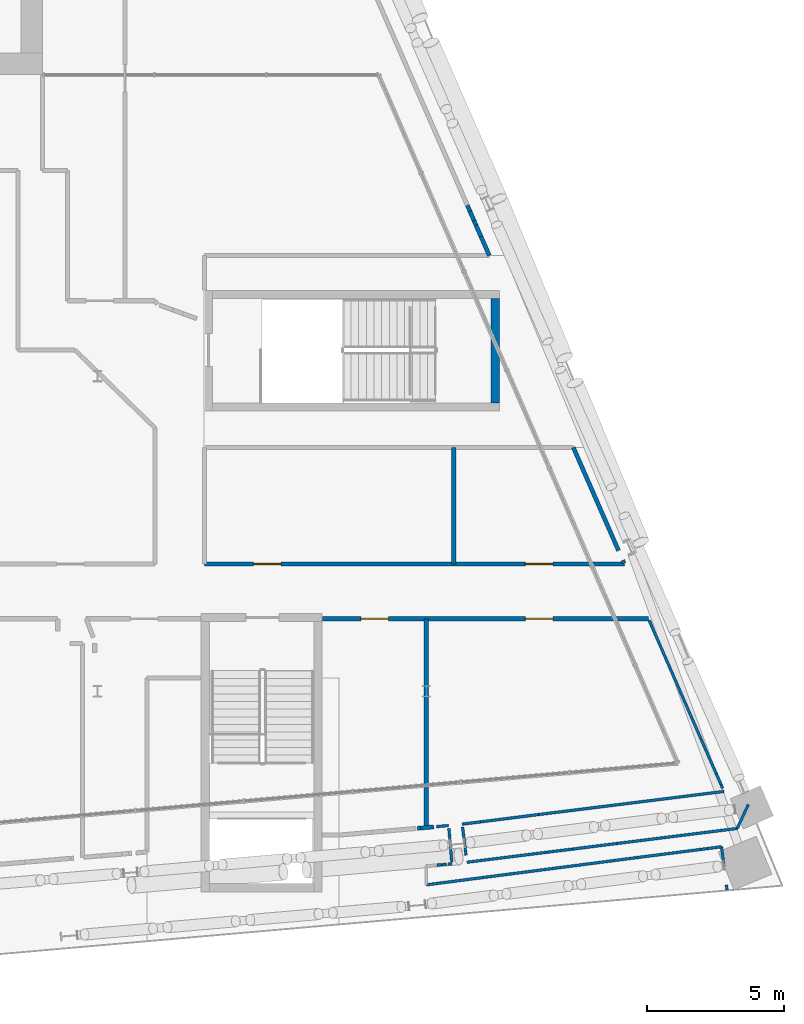
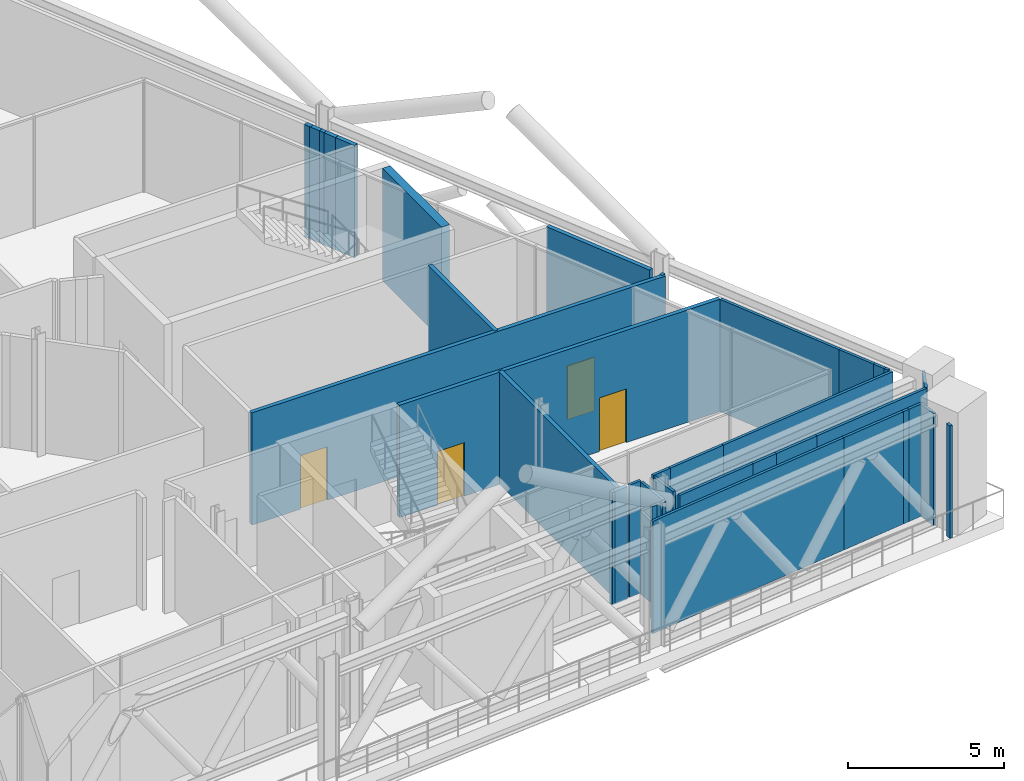
# One storey, part 18 of 35: 38 walls, 4 doors, 4 openings.
"""IFC4 building model written with IfcOpenShell, lengths in metres."""

from ifc_helpers import new_model, si_unit, direction, frame, frame_2d, origin, place, context, subcontext, project, spatial, rectangle, extrude, material, layer, layer_set, type_object, element, fill, save


model = new_model("IFC4")

# Units and contexts
model_context = context("Model", 3, precision=1e-05, world=origin(), true_north=direction((0.0, 1.0)))
body_context = subcontext(model_context, "Body", "Model", "MODEL_VIEW")
ifc_project = project(units=[si_unit("LENGTHUNIT", "METRE"), si_unit("AREAUNIT", "SQUARE_METRE"), si_unit("VOLUMEUNIT", "CUBIC_METRE"), si_unit("PLANEANGLEUNIT", "RADIAN"), si_unit("MASSUNIT", "GRAM", prefix="KILO")], contexts=[model_context])

# Site, building, storey
site_placement = place(None, origin())
site = spatial("IfcSite", under=ifc_project, at=site_placement, CompositionType="ELEMENT")
building_placement = place(site_placement, origin())
building = spatial("IfcBuilding", under=site, at=building_placement, Name="Wharfspan Tower", CompositionType="ELEMENT")
storey_placement = place(building_placement, frame((0.0, 0.0, 202.300049)))
storey = spatial("IfcBuildingStorey", under=building, at=storey_placement, Name="L50", CompositionType="ELEMENT", Elevation=202.300049)

# Walls
ifc_material_1 = material(Name="Gypsum board on steel studs", Category="steel")
ifc_layer_1 = layer(ifc_material_1, 0.100098)
ifc_layer_set_1 = layer_set([ifc_layer_1], Name="Gypsum board on steel studs")
wall_type_1 = type_object("IfcWallType", Name="Compartment wall 100 EI 60", PredefinedType="PARTITIONING", material=ifc_layer_set_1)
wall_1_placement = place(storey_placement, frame((82.030029, 9.745117, 0.0), z_axis=(0.0, 0.0, 1.0), x_axis=(-0.400291, 0.916392, 0.0)))
element("IfcWall", 1, at=wall_1_placement, inside=storey, type_object=wall_type_1, Name="Partition L50.w132", PredefinedType="PARTITIONING", context=body_context, shape_type="SweptSolid", body=[
    extrude(rectangle(XDim=4.743164, YDim=0.100098, at=frame_2d((2.371582, 0.0))), origin(), (0.0, 0.0, 1.0), 4.399902),
])
ifc_layer_2 = layer(ifc_material_1, 0.100098)
ifc_layer_set_2 = layer_set([ifc_layer_2], Name="Gypsum board on steel studs")
wall_type_2 = type_object("IfcWallType", Name="Partition 100", PredefinedType="PARTITIONING", material=ifc_layer_set_2)
wall_2_placement = place(storey_placement, frame((72.0, 4.435059, 0.0), z_axis=(0.0, 0.0, 1.0), x_axis=(0.991735, 0.128315, 0.0)))
element("IfcWall", 2, at=wall_2_placement, inside=storey, type_object=wall_type_2, Name="Partition L50.w104", PredefinedType="PARTITIONING", context=body_context, shape_type="SweptSolid", body=[
    extrude(rectangle(XDim=7.713379, YDim=0.100098, at=frame_2d((3.856689, 0.0))), origin(), (0.0, 0.0, 1.0), 4.399902),
])
wall_3_placement = place(storey_placement, frame((72.375, 6.560059, 0.0), z_axis=(0.0, 0.0, 1.0), x_axis=(0.99588, 0.090635, 0.0)))
element("IfcWall", 3, at=wall_3_placement, inside=storey, type_object=wall_type_2, Name="Partition L50.w108", PredefinedType="PARTITIONING", context=body_context, shape_type="SweptSolid", body=[
    extrude(rectangle(XDim=0.44165, YDim=0.100098, at=frame_2d((0.220703, 0.0))), origin(), (0.0, 0.0, 1.0), 4.399902),
])
wall_4_placement = place(storey_placement, frame((72.39502, 5.155029, 0.0), z_axis=(0.0, 0.0, 1.0), x_axis=(0.996593, 0.082486, 0.0)))
element("IfcWall", 4, at=wall_4_placement, inside=storey, type_object=wall_type_2, Name="Partition L50.w109", PredefinedType="PARTITIONING", context=body_context, shape_type="SweptSolid", body=[
    extrude(rectangle(XDim=0.180664, YDim=0.100098, at=frame_2d((0.090332, 0.0))), origin(), (0.0, 0.0, 1.0), 4.399902),
])
wall_5_placement = place(storey_placement, frame((72.574951, 5.169922, 0.0), z_axis=(0.0, 0.0, 1.0), x_axis=(0.996069, 0.088603, 0.0)))
element("IfcWall", 5, at=wall_5_placement, inside=storey, type_object=wall_type_2, Name="Partition L50.w110", PredefinedType="PARTITIONING", context=body_context, shape_type="SweptSolid", body=[
    extrude(rectangle(XDim=0.170898, YDim=0.100098, at=frame_2d((0.085449, 0.0))), origin(), (0.0, 0.0, 1.0), 4.399902),
])
wall_6_placement = place(storey_placement, frame((72.795654, 5.190918, 0.0), z_axis=(0.0, 0.0, 1.0), x_axis=(0.996205, 0.087081, 0.0)))
element("IfcWall", 6, at=wall_6_placement, inside=storey, type_object=wall_type_2, Name="Partition L50.w111", PredefinedType="PARTITIONING", context=body_context, shape_type="SweptSolid", body=[
    extrude(rectangle(XDim=0.140137, YDim=0.100098, at=frame_2d((0.070068, 0.0))), origin(), (0.0, 0.0, 1.0), 4.399902),
])
wall_7_placement = place(storey_placement, frame((72.929932, 5.27002, 0.0), z_axis=(0.0, 0.0, 1.0), x_axis=(-0.085711, 0.996316, 0.0)))
element("IfcWall", 7, at=wall_7_placement, inside=storey, type_object=wall_type_2, Name="Partition L50.w112", PredefinedType="PARTITIONING", context=body_context, shape_type="SweptSolid", body=[
    extrude(rectangle(XDim=1.227783, YDim=0.100098, at=frame_2d((0.61377, 0.0))), origin(), (0.0, 0.0, 1.0), 4.399902),
])
wall_8_placement = place(storey_placement, frame((73.308838, 6.650391, 0.0), z_axis=(0.0, 0.0, 1.0), x_axis=(0.99228, 0.124035, 0.0)))
element("IfcWall", 8, at=wall_8_placement, inside=storey, type_object=wall_type_2, Name="Partition L50.w114", PredefinedType="PARTITIONING", context=body_context, shape_type="SweptSolid", body=[
    extrude(rectangle(XDim=0.678955, YDim=0.100098, at=frame_2d((0.339355, 0.0))), origin(), (0.0, 0.0, 1.0), 4.399902),
])
wall_9_placement = place(storey_placement, frame((73.449951, 5.514893, 0.0), z_axis=(0.0, 0.0, 1.0), x_axis=(-0.122241, 0.992503, 0.0)))
element("IfcWall", 9, at=wall_9_placement, inside=storey, type_object=wall_type_2, Name="Partition L50.w115", PredefinedType="PARTITIONING", context=body_context, shape_type="SweptSolid", body=[
    extrude(rectangle(XDim=1.038574, YDim=0.100098, at=frame_2d((0.519287, 0.0))), origin(), (0.0, 0.0, 1.0), 4.399902),
])
wall_10_placement = place(storey_placement, frame((73.47998, 5.26001, 0.0), z_axis=(0.0, 0.0, 1.0), x_axis=(0.992307, 0.123821, 0.0)))
element("IfcWall", 10, at=wall_10_placement, inside=storey, type_object=wall_type_2, Name="Partition L50.w116", PredefinedType="PARTITIONING", context=body_context, shape_type="SweptSolid", body=[
    extrude(rectangle(XDim=2.947754, YDim=0.100098, at=frame_2d((1.473877, 0.0))), origin(), (0.0, 0.0, 1.0), 4.399902),
])
wall_11_placement = place(storey_placement, frame((73.982666, 6.734619, 0.0), z_axis=(0.0, 0.0, 1.0), x_axis=(0.992202, 0.124656, 0.0)))
element("IfcWall", 11, at=wall_11_placement, inside=storey, type_object=wall_type_2, Name="Partition L50.w121", PredefinedType="PARTITIONING", context=body_context, shape_type="SweptSolid", body=[
    extrude(rectangle(XDim=2.128906, YDim=0.100098, at=frame_2d((1.064453, 0.0))), origin(), (0.0, 0.0, 1.0), 4.399902),
])
wall_12_placement = place(storey_placement, frame((76.094971, 7.0, 0.0), z_axis=(0.0, 0.0, 1.0), x_axis=(0.992304, 0.123792, 0.0)))
element("IfcWall", 12, at=wall_12_placement, inside=storey, type_object=wall_type_2, Name="Partition L50.w124", PredefinedType="PARTITIONING", context=body_context, shape_type="SweptSolid", body=[
    extrude(rectangle(XDim=6.821777, YDim=0.100098, at=frame_2d((3.410889, 0.0))), origin(), (0.0, 0.0, 1.0), 4.399902),
])
wall_13_placement = place(storey_placement, frame((76.405029, 5.625, 0.0), z_axis=(0.0, 0.0, 1.0), x_axis=(0.992443, 0.12272, 0.0)))
element("IfcWall", 13, at=wall_13_placement, inside=storey, type_object=wall_type_2, Name="Partition L50.w125", PredefinedType="PARTITIONING", context=body_context, shape_type="SweptSolid", body=[
    extrude(rectangle(XDim=0.937012, YDim=0.100098, at=frame_2d((0.468506, 0.0))), origin(), (0.0, 0.0, 1.0), 4.399902),
])
wall_14_placement = place(storey_placement, frame((77.334961, 5.73999, 0.0), z_axis=(0.0, 0.0, 1.0), x_axis=(0.992138, 0.125156, 0.0)))
element("IfcWall", 14, at=wall_14_placement, inside=storey, type_object=wall_type_2, Name="Partition L50.w126", PredefinedType="PARTITIONING", context=body_context, shape_type="SweptSolid", body=[
    extrude(rectangle(XDim=1.634766, YDim=0.100098, at=frame_2d((0.817383, 0.0))), origin(), (0.0, 0.0, 1.0), 4.399902),
])
wall_15_placement = place(storey_placement, frame((78.956787, 5.94458, 0.0), z_axis=(0.0, 0.0, 1.0), x_axis=(0.992303, 0.123831, 0.0)))
element("IfcWall", 15, at=wall_15_placement, inside=storey, type_object=wall_type_2, Name="Partition L50.w127", PredefinedType="PARTITIONING", context=body_context, shape_type="SweptSolid", body=[
    extrude(rectangle(XDim=4.42627, YDim=0.100098, at=frame_2d((2.213135, 0.0))), origin(), (0.0, 0.0, 1.0), 4.399902),
])
wall_16_placement = place(storey_placement, frame((79.649902, 5.425049, 0.0), z_axis=(0.0, 0.0, 1.0), x_axis=(0.991892, 0.127077, 0.0)))
element("IfcWall", 16, at=wall_16_placement, inside=storey, type_object=wall_type_2, Name="Partition L50.w130", PredefinedType="PARTITIONING", context=body_context, shape_type="SweptSolid", body=[
    extrude(rectangle(XDim=2.399658, YDim=0.100098, at=frame_2d((1.199707, 0.0))), origin(), (0.0, 0.0, 1.0), 4.399902),
])
wall_17_placement = place(storey_placement, frame((82.030029, 5.72998, 0.0), z_axis=(0.0, 0.0, 1.0), x_axis=(0.991935, 0.126723, 0.0)))
element("IfcWall", 17, at=wall_17_placement, inside=storey, type_object=wall_type_2, Name="Partition L50.w131", PredefinedType="PARTITIONING", context=body_context, shape_type="SweptSolid", body=[
    extrude(rectangle(XDim=0.223389, YDim=0.100098, at=frame_2d((0.111816, 0.0))), origin(), (0.0, 0.0, 1.0), 4.399902),
])
wall_18_placement = place(storey_placement, frame((82.251709, 5.758301, 0.0), z_axis=(0.0, 0.0, 1.0), x_axis=(0.991798, 0.127809, 0.0)))
element("IfcWall", 18, at=wall_18_placement, inside=storey, type_object=wall_type_2, Name="Partition L50.w133", PredefinedType="PARTITIONING", context=body_context, shape_type="SweptSolid", body=[
    extrude(rectangle(XDim=0.525391, YDim=0.100098, at=frame_2d((0.262695, 0.0))), origin(), (0.0, 0.0, 1.0), 4.399902),
])
wall_19_placement = place(storey_placement, frame((82.583008, 8.487793, 0.0), z_axis=(0.0, 0.0, 1.0), x_axis=(-0.402589, 0.915379, 0.0)))
element("IfcWall", 19, at=wall_19_placement, inside=storey, type_object=wall_type_2, Name="Partition L50.w134", PredefinedType="PARTITIONING", context=body_context, shape_type="SweptSolid", body=[
    extrude(rectangle(XDim=1.373535, YDim=0.100098, at=frame_2d((0.686768, 0.0))), origin(), (0.0, 0.0, 1.0), 4.399902),
])
wall_20_placement = place(storey_placement, frame((82.753906, 8.097412, 0.0), z_axis=(0.0, 0.0, 1.0), x_axis=(-0.40103, 0.916067, 0.0)))
element("IfcWall", 20, at=wall_20_placement, inside=storey, type_object=wall_type_2, Name="Partition L50.w135", PredefinedType="PARTITIONING", context=body_context, shape_type="SweptSolid", body=[
    extrude(rectangle(XDim=0.42627, YDim=0.100098, at=frame_2d((0.213135, 0.0))), origin(), (0.0, 0.0, 1.0), 4.399902),
])
wall_21_placement = place(storey_placement, frame((82.814941, 7.955078, 0.0), z_axis=(0.0, 0.0, 1.0), x_axis=(-0.394108, 0.91906, 0.0)))
element("IfcWall", 21, at=wall_21_placement, inside=storey, type_object=wall_type_2, Name="Partition L50.w136", PredefinedType="PARTITIONING", context=body_context, shape_type="SweptSolid", body=[
    extrude(rectangle(XDim=0.154785, YDim=0.100098, at=frame_2d((0.077393, 0.0))), origin(), (0.0, 0.0, 1.0), 4.399902),
])
wall_22_placement = place(storey_placement, frame((82.86499, 5.11499, 0.0), z_axis=(0.0, 0.0, 1.0), x_axis=(-0.125882, 0.992046, 0.0)))
element("IfcWall", 22, at=wall_22_placement, inside=storey, type_object=wall_type_2, Name="Partition L50.w137", PredefinedType="PARTITIONING", context=body_context, shape_type="SweptSolid", body=[
    extrude(rectangle(XDim=0.715576, YDim=0.100098, at=frame_2d((0.35791, 0.0))), origin(), (0.0, 0.0, 1.0), 4.399902),
])
wall_23_placement = place(storey_placement, frame((82.977295, 4.243164, 0.0), z_axis=(0.0, 0.0, 1.0), x_axis=(-0.141069, 0.990002, 0.0)))
element("IfcWall", 23, at=wall_23_placement, inside=storey, type_object=wall_type_2, Name="Partition L50.w138", PredefinedType="PARTITIONING", context=body_context, shape_type="SweptSolid", body=[
    extrude(rectangle(XDim=0.193848, YDim=0.100098, at=frame_2d((0.096924, 0.0))), origin(), (0.0, 0.0, 1.0), 4.399902),
])
wall_24_placement = place(storey_placement, frame((83.350098, 6.5, 0.0), z_axis=(0.0, 0.0, 1.0), x_axis=(0.420495, 0.90729, 0.0)))
element("IfcWall", 24, at=wall_24_placement, inside=storey, type_object=wall_type_2, Name="Partition L50.w139", PredefinedType="PARTITIONING", context=body_context, shape_type="SweptSolid", body=[
    extrude(rectangle(XDim=0.95752, YDim=0.100098, at=frame_2d((0.47876, 0.0))), origin(), (0.0, 0.0, 1.0), 4.399902),
])

# Wall, openings, doors
ifc_layer_3 = layer(ifc_material_1, 0.149902)
ifc_layer_set_3 = layer_set([ifc_layer_3], Name="Gypsum board on steel studs")
wall_type_3 = type_object("IfcWallType", Name="Plant room wall 150 EI 120", PredefinedType="PARTITIONING", material=ifc_layer_set_3)
wall_25_placement = place(storey_placement, frame((63.905029, 16.14502, 0.0), z_axis=(0.0, 0.0, 1.0), x_axis=(1.0, 0.0, 0.0)))
wall_25 = element("IfcWall", 25, at=wall_25_placement, inside=storey, type_object=wall_type_3, Name="Partition L50.w092", PredefinedType="PARTITIONING", context=body_context, shape_type="SweptSolid", body=[
    extrude(rectangle(XDim=15.324707, YDim=0.149902, at=frame_2d((7.662354, 0.0))), origin(), (0.0, 0.0, 1.0), 4.399902),
])
opening_1_placement = place(wall_25_placement, frame((1.794922, 0.0, 0.0)))
opening_1 = element("IfcOpeningElement", 26, at=opening_1_placement, cuts=wall_25, Name="Opening BC-13", PredefinedType="OPENING", context=body_context, shape_type="SweptSolid", body=[
    extrude(rectangle(XDim=1.0, YDim=2.100098, at=frame_2d((0.5, 1.050049))), frame((0.0, 0.084961, 0.0), z_axis=(0.0, -1.0, 0.0), x_axis=(1.0, 0.0, 0.0)), (0.0, 0.0, 1.0), 0.169922),
])
opening_2_placement = place(wall_25_placement, frame((11.712646, 0.0, 0.0)))
opening_2 = element("IfcOpeningElement", 27, at=opening_2_placement, cuts=wall_25, Name="Opening BC-14", PredefinedType="OPENING", context=body_context, shape_type="SweptSolid", body=[
    extrude(rectangle(XDim=1.0, YDim=2.100098, at=frame_2d((0.5, 1.050049))), frame((0.0, 0.084961, 0.0), z_axis=(0.0, -1.0, 0.0), x_axis=(1.0, 0.0, 0.0)), (0.0, 0.0, 1.0), 0.169922),
])
ifc_material_2 = material(Name="Fire-rated timber door leaf in steel frame", Category="steel")
door_type_1 = type_object("IfcDoorType", Name="Door 1000 FD60 Left", OperationType="SINGLE_SWING_LEFT", PredefinedType="DOOR", material=ifc_material_2)
door_1_placement = place(opening_1_placement, origin())
door_1 = element("IfcDoor", 28, at=door_1_placement, inside=storey, type_object=door_type_1, Name="Door BC-13", OperationType="SINGLE_SWING_LEFT", OverallHeight=2.100098, OverallWidth=1.0, PredefinedType="DOOR", context=body_context, shape_type="SweptSolid", body=[
    extrude(rectangle(XDim=1.0, YDim=2.100098, at=frame_2d((0.5, 1.050049))), frame((0.0, 0.024902, 0.0), z_axis=(0.0, -1.0, 0.0), x_axis=(1.0, 0.0, 0.0)), (0.0, 0.0, 1.0), 0.050049),
])
fill(opening_1, door_1)
door_type_2 = type_object("IfcDoorType", Name="Door 1000 FD60 Right", OperationType="SINGLE_SWING_RIGHT", PredefinedType="DOOR", material=ifc_material_2)
door_2_placement = place(opening_2_placement, origin())
door_2 = element("IfcDoor", 29, at=door_2_placement, inside=storey, type_object=door_type_2, Name="Door BC-14", OperationType="SINGLE_SWING_RIGHT", OverallHeight=2.100098, OverallWidth=1.0, PredefinedType="DOOR", context=body_context, shape_type="SweptSolid", body=[
    extrude(rectangle(XDim=1.0, YDim=2.100098, at=frame_2d((0.5, 1.050049))), frame((0.0, 0.024902, 0.0), z_axis=(0.0, -1.0, 0.0), x_axis=(1.0, 0.0, 0.0)), (0.0, 0.0, 1.0), 0.050049),
])
fill(opening_2, door_2)

wall_26_placement = place(storey_placement, frame((68.213867, 14.14502, 0.0), z_axis=(0.0, 0.0, 1.0), x_axis=(1.0, 0.0, 0.0)))
wall_26 = element("IfcWall", 30, at=wall_26_placement, inside=storey, type_object=wall_type_3, Name="Partition L50.w097", PredefinedType="PARTITIONING", context=body_context, shape_type="SweptSolid", body=[
    extrude(rectangle(XDim=11.891113, YDim=0.149902, at=frame_2d((5.945557, 0.0))), origin(), (0.0, 0.0, 1.0), 4.399902),
])
opening_3_placement = place(wall_26_placement, frame((1.401123, 0.0, 0.0)))
opening_3 = element("IfcOpeningElement", 31, at=opening_3_placement, cuts=wall_26, Name="Opening BC-08", PredefinedType="OPENING", context=body_context, shape_type="SweptSolid", body=[
    extrude(rectangle(XDim=1.0, YDim=2.100098, at=frame_2d((0.5, 1.050049))), frame((0.0, 0.084961, 0.0), z_axis=(0.0, -1.0, 0.0), x_axis=(1.0, 0.0, 0.0)), (0.0, 0.0, 1.0), 0.169922),
])
opening_4_placement = place(wall_26_placement, frame((7.40625, 0.0, 0.0)))
opening_4 = element("IfcOpeningElement", 32, at=opening_4_placement, cuts=wall_26, Name="Opening BC-09", PredefinedType="OPENING", context=body_context, shape_type="SweptSolid", body=[
    extrude(rectangle(XDim=1.0, YDim=2.100098, at=frame_2d((0.5, 1.050049))), frame((0.0, 0.084961, 0.0), z_axis=(0.0, -1.0, 0.0), x_axis=(1.0, 0.0, 0.0)), (0.0, 0.0, 1.0), 0.169922),
])
door_type_3 = type_object("IfcDoorType", Name="Door 1000 FD30S Right", OperationType="SINGLE_SWING_RIGHT", PredefinedType="DOOR", material=ifc_material_2)
door_3_placement = place(opening_4_placement, origin())
door_3 = element("IfcDoor", 33, at=door_3_placement, inside=storey, type_object=door_type_3, Name="Door BC-09", OperationType="SINGLE_SWING_RIGHT", OverallHeight=2.100098, OverallWidth=1.0, PredefinedType="DOOR", context=body_context, shape_type="SweptSolid", body=[
    extrude(rectangle(XDim=1.0, YDim=2.100098, at=frame_2d((0.5, 1.050049))), frame((0.0, 0.024902, 0.0), z_axis=(0.0, -1.0, 0.0), x_axis=(1.0, 0.0, 0.0)), (0.0, 0.0, 1.0), 0.050049),
])
fill(opening_4, door_3)
door_4_placement = place(opening_3_placement, origin())
door_4 = element("IfcDoor", 34, at=door_4_placement, inside=storey, type_object=door_type_1, Name="Door BC-08", OperationType="SINGLE_SWING_LEFT", OverallHeight=2.100098, OverallWidth=1.0, PredefinedType="DOOR", context=body_context, shape_type="SweptSolid", body=[
    extrude(rectangle(XDim=1.0, YDim=2.100098, at=frame_2d((0.5, 1.050049))), frame((0.0, 0.024902, 0.0), z_axis=(0.0, -1.0, 0.0), x_axis=(1.0, 0.0, 0.0)), (0.0, 0.0, 1.0), 0.050049),
])
fill(opening_3, door_4)

# Walls
wall_27_placement = place(storey_placement, frame((71.679932, 6.5, 0.0), z_axis=(0.0, 0.0, 1.0), x_axis=(0.997064, 0.076524, 0.0)))
element("IfcWall", 35, at=wall_27_placement, inside=storey, type_object=wall_type_3, Name="Partition L50.w102", PredefinedType="PARTITIONING", context=body_context, shape_type="SweptSolid", body=[
    extrude(rectangle(XDim=0.108398, YDim=0.149902, at=frame_2d((0.054199, 0.0))), origin(), (0.0, 0.0, 1.0), 4.399902),
])
wall_28_placement = place(storey_placement, frame((71.788086, 6.508301, 0.0), z_axis=(0.0, 0.0, 1.0), x_axis=(0.996212, 0.086911, 0.0)))
element("IfcWall", 36, at=wall_28_placement, inside=storey, type_object=wall_type_3, Name="Partition L50.w103", PredefinedType="PARTITIONING", context=body_context, shape_type="SweptSolid", body=[
    extrude(rectangle(XDim=0.486084, YDim=0.149902, at=frame_2d((0.243164, 0.0))), origin(), (0.0, 0.0, 1.0), 4.399902),
])
wall_29_placement = place(storey_placement, frame((72.0, 6.526611, 0.0), z_axis=(0.0, 0.0, 1.0), x_axis=(0.0, 1.0, 0.0)))
element("IfcWall", 37, at=wall_29_placement, inside=storey, type_object=wall_type_3, Name="Partition L50.w107", PredefinedType="PARTITIONING", context=body_context, shape_type="SweptSolid", body=[
    extrude(rectangle(XDim=7.618408, YDim=0.149902, at=frame_2d((3.809082, 0.0))), origin(), (0.0, 0.0, 1.0), 4.399902),
])
wall_30_placement = place(storey_placement, frame((73.0, 16.14502, 0.0), z_axis=(0.0, 0.0, 1.0), x_axis=(0.0, 1.0, 0.0)))
element("IfcWall", 38, at=wall_30_placement, inside=storey, type_object=wall_type_3, Name="Partition L50.w113", PredefinedType="PARTITIONING", context=body_context, shape_type="SweptSolid", body=[
    extrude(rectangle(XDim=4.254883, YDim=0.149902, at=frame_2d((2.127441, 0.0))), origin(), (0.0, 0.0, 1.0), 4.399902),
])
wall_31_placement = place(storey_placement, frame((73.594971, 29.014893, 0.0), z_axis=(0.0, 0.0, 1.0), x_axis=(-0.403922, 0.914795, 0.0)))
element("IfcWall", 39, at=wall_31_placement, inside=storey, type_object=wall_type_3, Name="Partition L50.w118", PredefinedType="PARTITIONING", context=body_context, shape_type="SweptSolid", body=[
    extrude(rectangle(XDim=0.235107, YDim=0.149902, at=frame_2d((0.117676, 0.0))), origin(), (0.0, 0.0, 1.0), 4.399902),
])
wall_32_placement = place(storey_placement, frame((73.73999, 28.681152, 0.0), z_axis=(0.0, 0.0, 1.0), x_axis=(-0.400983, 0.916087, 0.0)))
element("IfcWall", 40, at=wall_32_placement, inside=storey, type_object=wall_type_3, Name="Partition L50.w119", PredefinedType="PARTITIONING", context=body_context, shape_type="SweptSolid", body=[
    extrude(rectangle(XDim=0.391602, YDim=0.149902, at=frame_2d((0.195801, 0.0))), origin(), (0.0, 0.0, 1.0), 4.399902),
])
wall_33_placement = place(storey_placement, frame((73.810059, 28.514893, 0.0), z_axis=(0.0, 0.0, 1.0), x_axis=(-0.388359, 0.921507, 0.0)))
element("IfcWall", 41, at=wall_33_placement, inside=storey, type_object=wall_type_3, Name="Partition L50.w120", PredefinedType="PARTITIONING", context=body_context, shape_type="SweptSolid", body=[
    extrude(rectangle(XDim=0.18042, YDim=0.149902, at=frame_2d((0.090332, 0.0))), origin(), (0.0, 0.0, 1.0), 4.399902),
])
wall_34_placement = place(storey_placement, frame((73.995117, 28.094971, 0.0), z_axis=(0.0, 0.0, 1.0), x_axis=(-0.403275, 0.915083, 0.0)))
element("IfcWall", 42, at=wall_34_placement, inside=storey, type_object=wall_type_3, Name="Partition L50.w122", PredefinedType="PARTITIONING", context=body_context, shape_type="SweptSolid", body=[
    extrude(rectangle(XDim=0.458984, YDim=0.149902, at=frame_2d((0.229492, 0.0))), origin(), (0.0, 0.0, 1.0), 4.399902),
])
wall_35_placement = place(storey_placement, frame((74.300049, 27.399902, 0.0), z_axis=(0.0, 0.0, 1.0), x_axis=(-0.401745, 0.915747, 0.0)))
element("IfcWall", 43, at=wall_35_placement, inside=storey, type_object=wall_type_3, Name="Partition L50.w123", PredefinedType="PARTITIONING", context=body_context, shape_type="SweptSolid", body=[
    extrude(rectangle(XDim=0.759033, YDim=0.149902, at=frame_2d((0.379395, 0.0))), origin(), (0.0, 0.0, 1.0), 4.399902),
])
wall_36_placement = place(storey_placement, frame((79.014893, 16.63501, 0.0), z_axis=(0.0, 0.0, 1.0), x_axis=(-0.401383, 0.915911, 0.0)))
element("IfcWall", 44, at=wall_36_placement, inside=storey, type_object=wall_type_3, Name="Partition L50.w128", PredefinedType="PARTITIONING", context=body_context, shape_type="SweptSolid", body=[
    extrude(rectangle(XDim=4.110596, YDim=0.149902, at=frame_2d((2.055176, 0.0))), origin(), (0.0, 0.0, 1.0), 4.399902),
])
wall_37_placement = place(storey_placement, frame((79.215088, 16.175049, 0.0), z_axis=(0.0, 0.0, 1.0), x_axis=(-0.395209, 0.918594, 0.0)))
element("IfcWall", 45, at=wall_37_placement, inside=storey, type_object=wall_type_3, Name="Partition L50.w129", PredefinedType="PARTITIONING", context=body_context, shape_type="SweptSolid", body=[
    extrude(rectangle(XDim=0.114258, YDim=0.149902, at=frame_2d((0.057129, 0.0))), origin(), (0.0, 0.0, 1.0), 4.399902),
])
ifc_material_3 = material(Name="Concrete C40/50", Category="concrete")
ifc_layer_4 = layer(ifc_material_3, 0.300049)
ifc_layer_set_4 = layer_set([ifc_layer_4], Name="Concrete C40/50")
wall_type_4 = type_object("IfcWallType", Name="Stair core wall 300", PredefinedType="SHEAR", material=ifc_layer_set_4)
wall_38_placement = place(storey_placement, frame((74.519531, 22.024902, 0.0), z_axis=(0.0, 0.0, 1.0), x_axis=(0.0, 1.0, 0.0)))
element("IfcWall", 46, at=wall_38_placement, inside=storey, type_object=wall_type_4, Name="ST6 stair enclosure wall L50", PredefinedType="SHEAR", context=body_context, shape_type="SweptSolid", body=[
    extrude(rectangle(XDim=3.800049, YDim=0.300049, at=frame_2d((1.899902, 0.0))), origin(), (0.0, 0.0, 1.0), 4.399902),
])

save(model, "model.ifc")
